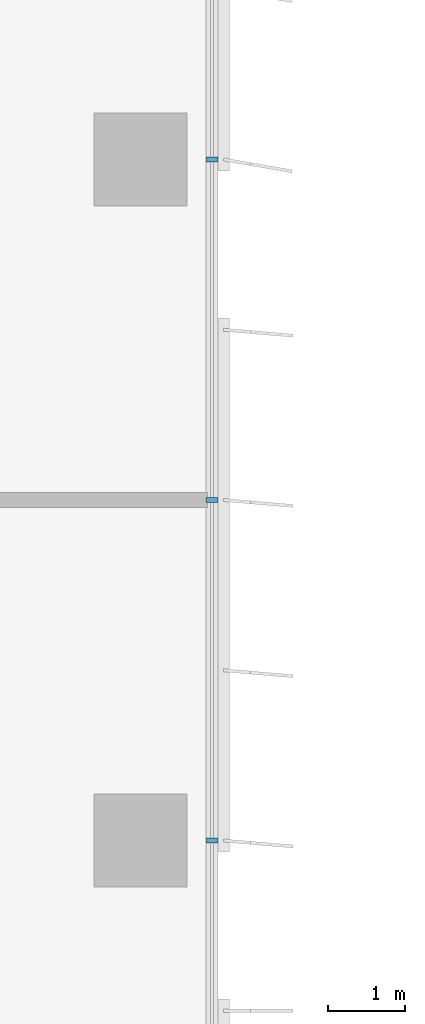
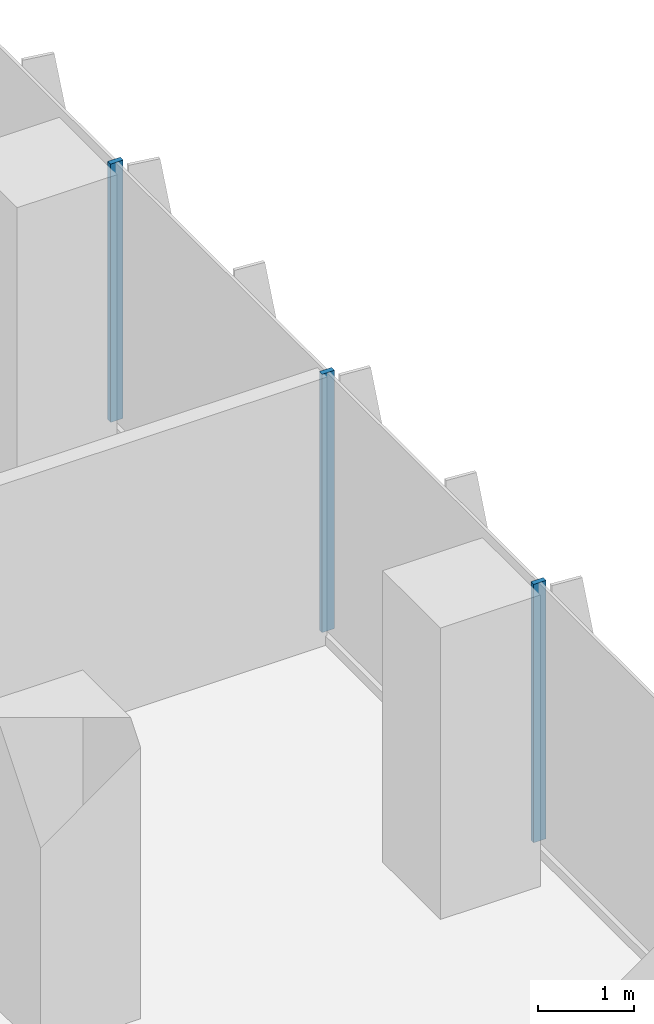
# One storey, part 7 of 22: 3 members, 1 element without a shape of its own.
"""IFC4 building model written with IfcOpenShell, lengths in metres."""

from ifc_helpers import new_model, si_unit, direction, frame, origin, origin_2d, place, context, subcontext, project, spatial, rectangle, extrude, source, transform, mapped, material, material_profile, profile_set, type_object, element, aggregate, save


model = new_model("IFC4")

# Units and contexts
model_context = context("Model", 3, precision=1e-05, world=origin(), true_north=direction((0.0, 1.0)))
body_context = subcontext(model_context, "Body", "Model", "MODEL_VIEW")
ifc_project = project(units=[si_unit("LENGTHUNIT", "METRE"), si_unit("AREAUNIT", "SQUARE_METRE"), si_unit("VOLUMEUNIT", "CUBIC_METRE"), si_unit("PLANEANGLEUNIT", "RADIAN"), si_unit("MASSUNIT", "GRAM", prefix="KILO")], contexts=[model_context])

# Site, building, storey
site_placement = place(None, origin())
site = spatial("IfcSite", under=ifc_project, at=site_placement, CompositionType="ELEMENT")
building_placement = place(site_placement, origin())
building = spatial("IfcBuilding", under=site, at=building_placement, Name="Kemantara Hotel Tower", CompositionType="ELEMENT")
storey_placement = place(building_placement, frame((0.0, 0.0, 87.10009765625)))
storey = spatial("IfcBuildingStorey", under=building, at=storey_placement, Name="L20", CompositionType="ELEMENT", Elevation=87.10009765625)

# Curtain wall, members
ifc_material_1 = material(Name="Low-E tinted double insulated glass 36 mm", Category="glass")
curtain_wall_type = type_object("IfcCurtainWallType", Name="TOWER CURTAIN WALL, FRONT FACES", PredefinedType="USERDEFINED", material=ifc_material_1)
curtain_wall_placement = place(storey_placement, origin())
curtain_wall = element("IfcCurtainWall", 1, at=curtain_wall_placement, inside=storey, type_object=curtain_wall_type, Name="CW4 L20 T2-R14-1", ObjectType="TOWER CURTAIN WALL, FRONT FACES", PredefinedType="USERDEFINED")
ifc_material_2 = material(Name="Aluminium 6063-T6 bronze anodised", Category="aluminium")
ifc_material_profile = material_profile(ifc_material_2, rectangle(XDim=0.14990234375, YDim=0.06005859375, at=origin_2d()), Name="TOWER CURTAIN WALL, FRONT FACES MULLION")
ifc_profile_set = profile_set([ifc_material_profile], Name="Aluminium 6063-T6 bronze anodised")
member_type = type_object("IfcMemberType", Name="TOWER CURTAIN WALL, FRONT FACES MULLION", PredefinedType="MULLION", material=ifc_profile_set)
shared_shape = source(origin(), body_context, "Body", "SweptSolid", [
    extrude(rectangle(XDim=0.14990234375, YDim=0.06005859375, at=origin_2d()), origin(), (0.0, 0.0, 1.0), 3.280029296875),
])
member_1_placement = place(storey_placement, frame((26.72509765625, 53.800048828125, 0.119873046875), z_axis=(0.0, 0.0, 1.0), x_axis=(-1.0, 0.0, 0.0)))
member_1 = element("IfcMember", 2, at=member_1_placement, type_object=member_type, Name="CW4 mullion T2-R14-1.9", PredefinedType="MULLION", context=body_context, shape_type="MappedRepresentation", body=[
    mapped(shared_shape, transform((0.0, 0.0, 0.0))),
])
member_2_placement = place(storey_placement, frame((26.72509765625, 58.199951171875, 0.119873046875), z_axis=(0.0, 0.0, 1.0), x_axis=(-1.0, 0.0, 0.0)))
member_2 = element("IfcMember", 3, at=member_2_placement, type_object=member_type, Name="CW4 mullion T2-R14-1.10", PredefinedType="MULLION", context=body_context, shape_type="MappedRepresentation", body=[
    mapped(shared_shape, transform((0.0, 0.0, 0.0))),
])
member_3_placement = place(storey_placement, frame((26.72509765625, 62.60009765625, 0.119873046875), z_axis=(0.0, 0.0, 1.0), x_axis=(-1.0, 0.0, 0.0)))
member_3 = element("IfcMember", 4, at=member_3_placement, type_object=member_type, Name="CW4 mullion T2-R14-1.11", PredefinedType="MULLION", context=body_context, shape_type="MappedRepresentation", body=[
    mapped(shared_shape, transform((0.0, 0.0, 0.0))),
])
aggregate(curtain_wall, [member_1, member_2, member_3])

save(model, "model.ifc")
